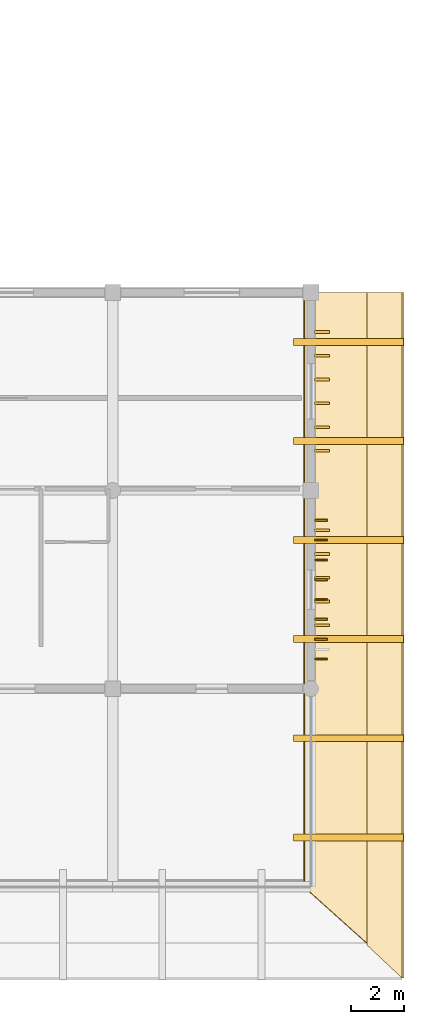
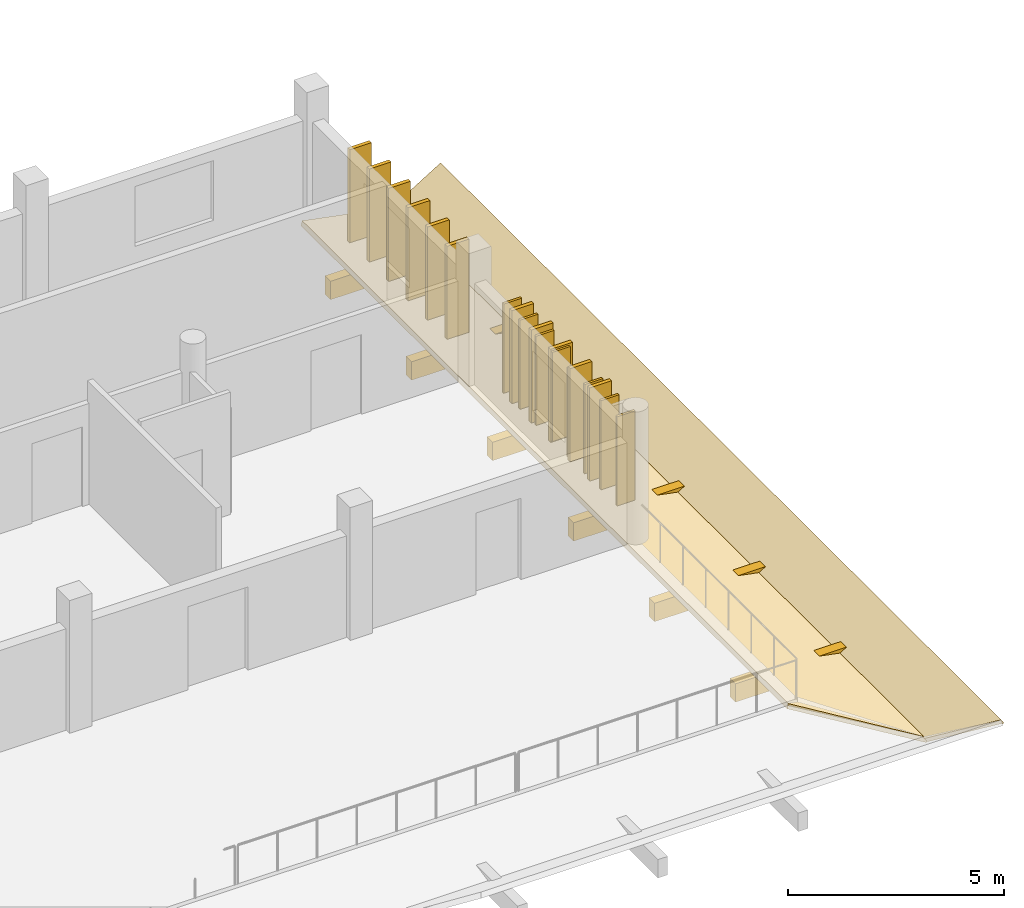
# One storey, part 42 of 43: 19 coverings, 8 shading devices.
"""IFC4 building model written with IfcOpenShell, lengths in metres."""

from ifc_helpers import new_model, si_unit, direction, frame, origin, origin_2d, place, context, subcontext, project, spatial, polyline, rectangle, outline, extrude, material, layer, layer_set, type_object, element, save


model = new_model("IFC4")

# Units and contexts
model_context = context("Model", 3, precision=1e-05, world=origin(), true_north=direction((0.0, 1.0)))
body_context = subcontext(model_context, "Body", "Model", "MODEL_VIEW")
ifc_project = project(units=[si_unit("LENGTHUNIT", "METRE"), si_unit("AREAUNIT", "SQUARE_METRE"), si_unit("VOLUMEUNIT", "CUBIC_METRE"), si_unit("PLANEANGLEUNIT", "RADIAN"), si_unit("MASSUNIT", "GRAM", prefix="KILO")], contexts=[model_context])

# Site, building, storey
site_placement = place(None, origin())
site = spatial("IfcSite", under=ifc_project, at=site_placement, CompositionType="ELEMENT")
building_placement = place(site_placement, origin())
building = spatial("IfcBuilding", under=site, at=building_placement, Name="Dalvernix Boulevard General Hospital", CompositionType="ELEMENT")
storey_placement = place(building_placement, frame((0.0, 0.0, 14.10009765625)))
storey = spatial("IfcBuildingStorey", under=building, at=storey_placement, Name="L03", CompositionType="ELEMENT", Elevation=14.10009765625)

# Coverings
ifc_material_1 = material(Name="Glazed Catalan terracotta and iroko timber overhanging upturned eave", Category="masonry")
ifc_layer_1 = layer(ifc_material_1, 0.139892578125)
ifc_layer_set_1 = layer_set([ifc_layer_1], Name="Glazed Catalan terracotta and iroko timber overhanging upturned eave (COV-EAVE-01)")
covering_type_1 = type_object("IfcCoveringType", Name="COV-EAVE-01", PredefinedType="CLADDING", material=ifc_layer_set_1)
covering_1_placement = place(storey_placement, frame((172.25, 0.0, -0.06005859375), z_axis=(0.192259352231, 0.0, 0.981344150377), x_axis=(0.0, 1.0, 0.0)))
element("IfcCovering", 1, at=covering_1_placement, inside=storey, type_object=covering_type_1, Name="TIER-V5-BASE overhanging ceramic eave skirt E", PredefinedType="CLADDING", context=body_context, shape_type="SweptSolid", body=[
    extrude(outline(polyline([(0.0, 0.0), (22.5, 0.0), (22.5, -2.4965259852349138), (-2.199951171875, -2.4965259852349138), (0.0, 0.0)])), origin(), (0.0, 0.0, -1.0), 0.139892578125),
])
covering_2_placement = place(storey_placement, frame((174.6201171875, -2.199951171875, -0.5400390625), z_axis=(-0.524777364287, 0.0, 0.851239518544), x_axis=(0.0, 1.0, 0.0)))
element("IfcCovering", 2, at=covering_2_placement, inside=storey, type_object=covering_type_1, Name="TIER-V5-BASE upturned ceramic eave wing E", PredefinedType="CLADDING", context=body_context, shape_type="SweptSolid", body=[
    extrude(outline(polyline([(0.0, 0.0), (24.699951171875, 0.0), (24.699951171875, -1.5622324332978543), (-1.25, -1.5622324332978543), (0.0, 0.0)])), origin(), (0.0, 0.0, -1.0), 0.139892578125),
])
ifc_material_2 = material(Name="Terracotta-clad iroko timber brise-soleil sun-breaker fin", Category="masonry")
ifc_layer_2 = layer(ifc_material_2, 0.10009765625)
ifc_layer_set_2 = layer_set([ifc_layer_2], Name="Terracotta-clad iroko timber brise-soleil sun-breaker fin (COV-FIN-02)")
covering_type_2 = type_object("IfcCoveringType", Name="COV-FIN-02", PredefinedType="CLADDING", material=ifc_layer_set_2)
for number, where, z_axis, x_axis, name in (
    (3, (172.919921875, 13.5, 0.119873046875), (0.0, 0.0, 1.0), (0.0, -1.0, 0.0), "L03 terracotta brise-soleil fin E 23-1-1"),
    (4, (172.919921875, 12.60009765625, 0.119873046875), (0.0, 0.0, 1.0), (0.0, -1.0, 0.0), "L03 terracotta brise-soleil fin E 23-1-2"),
    (5, (172.919921875, 11.699951171875, 0.119873046875), (0.0, 0.0, 1.0), (0.0, -1.0, 0.0), "L03 terracotta brise-soleil fin E 23-1-3"),
    (6, (172.919921875, 10.800048828125, 0.119873046875), (0.0, 0.0, 1.0), (0.0, -1.0, 0.0), "L03 terracotta brise-soleil fin E 23-1-4"),
    (7, (172.919921875, 9.89990234375, 0.119873046875), (0.0, 0.0, 1.0), (0.0, -1.0, 0.0), "L03 terracotta brise-soleil fin E 23-1-5"),
    (8, (172.919921875, 21.0, 0.119873046875), (0.0, 0.0, 1.0), (0.0, -1.0, 0.0), "L03 terracotta brise-soleil fin E 23-2-1"),
    (9, (172.919921875, 20.10009765625, 0.119873046875), (0.0, 0.0, 1.0), (0.0, -1.0, 0.0), "L03 terracotta brise-soleil fin E 23-2-2"),
    (10, (172.919921875, 19.199951171875, 0.119873046875), (0.0, 0.0, 1.0), (0.0, -1.0, 0.0), "L03 terracotta brise-soleil fin E 23-2-3"),
    (11, (172.919921875, 18.300048828125, 0.119873046875), (0.0, 0.0, 1.0), (0.0, -1.0, 0.0), "L03 terracotta brise-soleil fin E 23-2-4"),
    (12, (172.919921875, 17.39990234375, 0.119873046875), (0.0, 0.0, 1.0), (0.0, -1.0, 0.0), "L03 terracotta brise-soleil fin E 23-2-5"),
    (13, (172.919921875, 16.5, 0.119873046875), (0.0, 0.0, 1.0), (0.0, -1.0, 0.0), "L03 terracotta brise-soleil fin E 23-2-6"),
):
    element("IfcCovering", number, at=place(storey_placement, frame(where, z_axis=z_axis, x_axis=x_axis)), inside=storey, type_object=covering_type_2, Name=name, PredefinedType="CLADDING", context=body_context, shape_type="SweptSolid", body=[
        extrude(rectangle(XDim=0.10009765625, YDim=0.580078125, at=origin_2d()), origin(), (0.0, 0.0, 1.0), 2.6298828125),
    ])
ifc_material_3 = material(Name="Preservative-treated glulam GL28h eave outlooker corbel bracket", Category="wood")
ifc_layer_3 = layer(ifc_material_3, 0.239990234375)
ifc_layer_set_3 = layer_set([ifc_layer_3], Name="Preservative-treated glulam GL28h eave outlooker corbel bracket (COV-OUTLOOK-01)")
covering_type_3 = type_object("IfcCoveringType", Name="COV-OUTLOOK-01", PredefinedType="CLADDING", material=ifc_layer_set_3)
for number, where, z_axis, x_axis, name in (
    (14, (173.925048828125, 1.875, -0.940185546875), (0.0, 0.0, 1.0), (1.0, 0.0, 0.0), "TIER-V5-BASE glulam eave outlooker corbel E-1"),
    (15, (173.925048828125, 5.625, -0.940185546875), (0.0, 0.0, 1.0), (1.0, 0.0, 0.0), "TIER-V5-BASE glulam eave outlooker corbel E-2"),
    (16, (173.925048828125, 9.375, -0.940185546875), (0.0, 0.0, 1.0), (1.0, 0.0, 0.0), "TIER-V5-BASE glulam eave outlooker corbel E-3"),
    (17, (173.925048828125, 13.125, -0.940185546875), (0.0, 0.0, 1.0), (1.0, 0.0, 0.0), "TIER-V5-BASE glulam eave outlooker corbel E-4"),
    (18, (173.925048828125, 16.875, -0.940185546875), (0.0, 0.0, 1.0), (1.0, 0.0, 0.0), "TIER-V5-BASE glulam eave outlooker corbel E-5"),
    (19, (173.925048828125, 20.625, -0.940185546875), (0.0, 0.0, 1.0), (1.0, 0.0, 0.0), "TIER-V5-BASE glulam eave outlooker corbel E-6"),
):
    element("IfcCovering", number, at=place(storey_placement, frame(where, z_axis=z_axis, x_axis=x_axis)), inside=storey, type_object=covering_type_3, Name=name, PredefinedType="CLADDING", context=body_context, shape_type="SweptSolid", body=[
        extrude(rectangle(XDim=4.14990234375, YDim=0.260009765625, at=origin_2d()), origin(), (0.0, 0.0, 1.0), 0.52001953125),
    ])

# Shading devices
ifc_material_4 = material(Name="Preservative-treated West African iroko timber", Category="wood")
shading_device_type = type_object("IfcShadingDeviceType", Name="SHD-FIN-01", PredefinedType="USERDEFINED", material=ifc_material_4)
for number, where, z_axis, x_axis, name in (
    (20, (172.8798828125, 13.875, 0.1748046875), (0.0, 0.0, 1.0), (0.0, -1.0, 0.0), "L03 iroko brise-soleil fin 1"),
    (21, (172.8798828125, 13.125, 0.1748046875), (0.0, 0.0, 1.0), (0.0, -1.0, 0.0), "L03 iroko brise-soleil fin 2"),
    (22, (172.8798828125, 12.375, 0.1748046875), (0.0, 0.0, 1.0), (0.0, -1.0, 0.0), "L03 iroko brise-soleil fin 3"),
    (23, (172.8798828125, 11.625, 0.1748046875), (0.0, 0.0, 1.0), (0.0, -1.0, 0.0), "L03 iroko brise-soleil fin 4"),
    (24, (172.8798828125, 10.875, 0.1748046875), (0.0, 0.0, 1.0), (0.0, -1.0, 0.0), "L03 iroko brise-soleil fin 5"),
    (25, (172.8798828125, 10.125, 0.1748046875), (0.0, 0.0, 1.0), (0.0, -1.0, 0.0), "L03 iroko brise-soleil fin 6"),
    (26, (172.8798828125, 9.375, 0.1748046875), (0.0, 0.0, 1.0), (0.0, -1.0, 0.0), "L03 iroko brise-soleil fin 7"),
    (27, (172.8798828125, 8.625, 0.1748046875), (0.0, 0.0, 1.0), (0.0, -1.0, 0.0), "L03 iroko brise-soleil fin 8"),
):
    element("IfcShadingDevice", number, at=place(storey_placement, frame(where, z_axis=z_axis, x_axis=x_axis)), inside=storey, type_object=shading_device_type, Name=name, ObjectType="FIN", PredefinedType="USERDEFINED", context=body_context, shape_type="SweptSolid", body=[
        extrude(rectangle(XDim=0.06494140625, YDim=0.47998046875, at=origin_2d()), origin(), (0.0, 0.0, 1.0), 2.52001953125),
    ])

save(model, "model.ifc")
